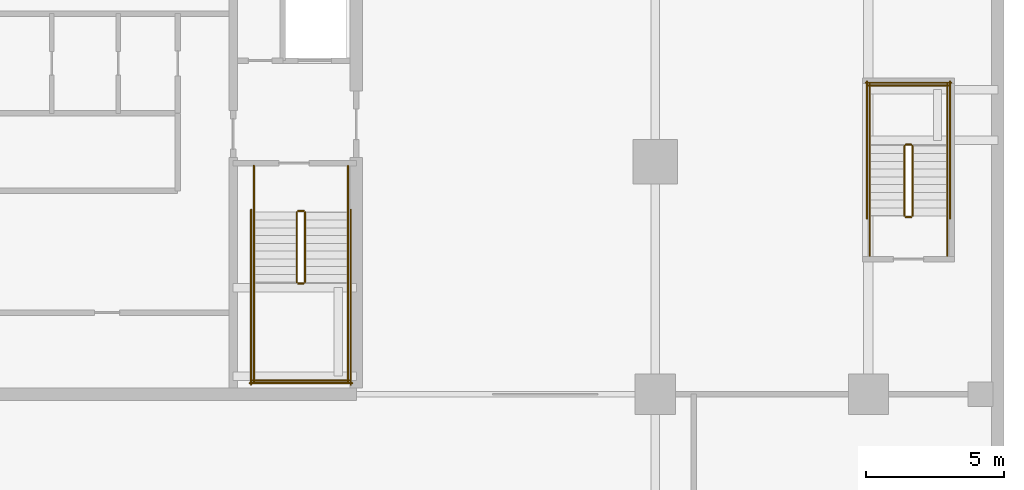
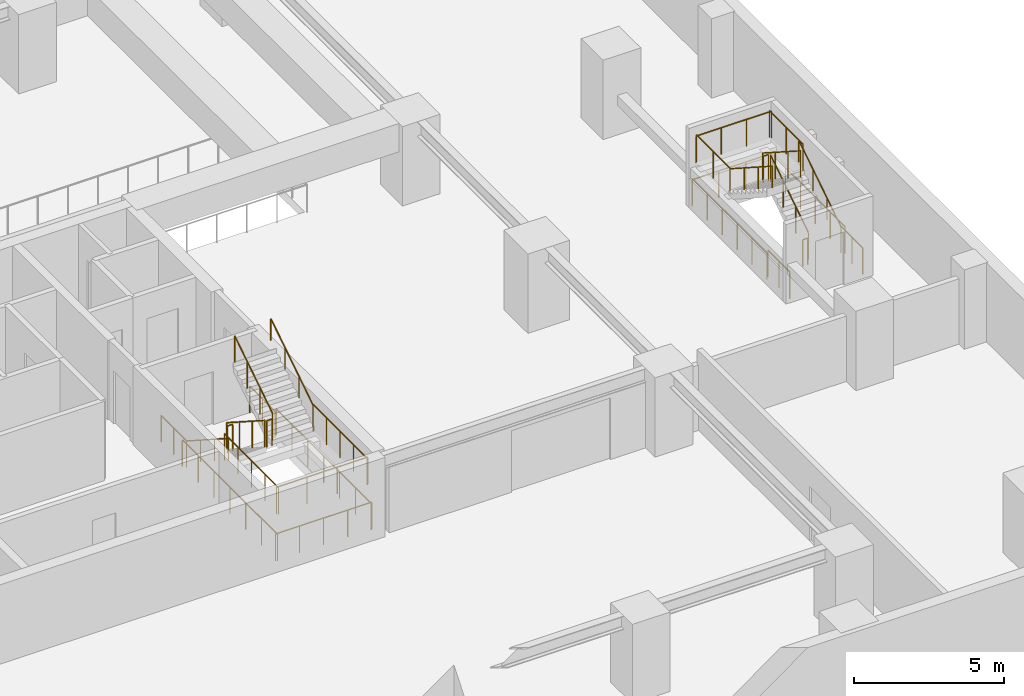
# One storey, part 9 of 10: 28 railings.
"""IFC4 building model written with IfcOpenShell, lengths in metres."""

from ifc_helpers import new_model, si_unit, direction, frame, origin, origin_2d, place, context, subcontext, project, spatial, circle, extrude, material, type_object, element, save


model = new_model("IFC4")

# Units and contexts
model_context = context("Model", 3, precision=1e-05, world=origin(), true_north=direction((0.0, 1.0)))
body_context = subcontext(model_context, "Body", "Model", "MODEL_VIEW")
ifc_project = project(units=[si_unit("LENGTHUNIT", "METRE"), si_unit("AREAUNIT", "SQUARE_METRE"), si_unit("VOLUMEUNIT", "CUBIC_METRE"), si_unit("PLANEANGLEUNIT", "RADIAN"), si_unit("MASSUNIT", "GRAM", prefix="KILO")], contexts=[model_context])

# Site, building, storey
site_placement = place(None, origin())
site = spatial("IfcSite", under=ifc_project, at=site_placement, CompositionType="ELEMENT")
building_placement = place(site_placement, origin())
building = spatial("IfcBuilding", under=site, at=building_placement, Name="Serunith Strait Residences", CompositionType="ELEMENT")
storey_placement = place(building_placement, frame((0.0, 0.0, -3.60009765625)))
storey = spatial("IfcBuildingStorey", under=building, at=storey_placement, Name="B01", CompositionType="ELEMENT", Elevation=-3.60009765625)

# Railings
ifc_material = material(Name="Brushed stainless steel 316L", Category="steel")
railing_type_1 = type_object("IfcRailingType", Name="RLG-STAIR-GUARD", PredefinedType="BALUSTRADE", material=ifc_material)
railing_1_placement = place(storey_placement, frame((39.25, 23.3701171875, 0.18017578125)))
element("IfcRailing", 1, at=railing_1_placement, inside=storey, type_object=railing_type_1, Name="B01 ST-2 stair guard 1", PredefinedType="BALUSTRADE", context=body_context, shape_type="SweptSolid", body=[
    extrude(circle(Radius=0.02392578125, at=origin_2d()), frame((0.0, -0.001708984375, 1.0771484375), z_axis=(0.0, -0.841199657755, 0.540724639528), x_axis=(1.0, 0.0, 0.0)), (0.0, 0.0, 1.0), 2.99169921875),
    extrude(circle(Radius=0.02099609375, at=origin_2d()), origin(), (0.0, 0.0, 1.0), 1.050048828125),
    extrude(circle(Radius=0.02099609375, at=origin_2d()), frame((0.0, -0.840087890625, 0.5400390625)), (0.0, 0.0, 1.0), 1.050048828125),
    extrude(circle(Radius=0.02099609375, at=origin_2d()), frame((0.0, -1.679931640625, 1.079833984375)), (0.0, 0.0, 1.0), 1.050048828125),
    extrude(circle(Radius=0.02099609375, at=origin_2d()), frame((0.0, -2.52001953125, 1.619873046875)), (0.0, 0.0, 1.0), 1.050048828125),
])
railing_2_placement = place(storey_placement, frame((39.300048828125, 20.800048828125, 1.800048828125)))
element("IfcRailing", 2, at=railing_2_placement, inside=storey, type_object=railing_type_1, Name="B01 ST-2 stair guard 2", PredefinedType="BALUSTRADE", context=body_context, shape_type="SweptSolid", body=[
    extrude(circle(Radius=0.02392578125, at=origin_2d()), frame((0.001953125, 0.0, 1.076171875), z_axis=(1.0, 0.0, 0.0), x_axis=(0.0, 1.0, 0.0)), (0.0, 0.0, 1.0), 0.196044921875),
    extrude(circle(Radius=0.02099609375, at=origin_2d()), origin(), (0.0, 0.0, 1.0), 1.050048828125),
    extrude(circle(Radius=0.02099609375, at=origin_2d()), frame((0.199951171875, 0.0, 0.0)), (0.0, 0.0, 1.0), 1.050048828125),
])
for number, where, name in (
    (3, (37.699951171875, 20.85009765625, 1.800048828125), "B01 ST-2 stair guard 3"),
    (4, (41.10009765625, 20.85009765625, 1.800048828125), "B01 ST-2 stair guard 4"),
):
    element("IfcRailing", number, at=place(storey_placement, frame(where)), inside=storey, type_object=railing_type_1, Name=name, PredefinedType="BALUSTRADE", context=body_context, shape_type="SweptSolid", body=[
        extrude(circle(Radius=0.02392578125, at=origin_2d()), frame((0.0, -0.001953125, 1.076171875), z_axis=(0.0, -1.0, 0.0), x_axis=(1.0, 0.0, 0.0)), (0.0, 0.0, 1.0), 3.59619140625),
        extrude(circle(Radius=0.02099609375, at=origin_2d()), origin(), (0.0, 0.0, 1.0), 1.050048828125),
        extrude(circle(Radius=0.02099609375, at=origin_2d()), frame((0.0, -0.89990234375, 0.0)), (0.0, 0.0, 1.0), 1.050048828125),
        extrude(circle(Radius=0.02099609375, at=origin_2d()), frame((0.0, -1.800048828125, 0.0)), (0.0, 0.0, 1.0), 1.050048828125),
        extrude(circle(Radius=0.02099609375, at=origin_2d()), frame((0.0, -2.7001953125, 0.0)), (0.0, 0.0, 1.0), 1.050048828125),
        extrude(circle(Radius=0.02099609375, at=origin_2d()), frame((0.0, -3.60009765625, 0.0)), (0.0, 0.0, 1.0), 1.050048828125),
    ])
railing_3_placement = place(storey_placement, frame((37.64990234375, 17.300048828125, 1.800048828125)))
element("IfcRailing", 5, at=railing_3_placement, inside=storey, type_object=railing_type_1, Name="B01 ST-2 stair guard 5", PredefinedType="BALUSTRADE", context=body_context, shape_type="SweptSolid", body=[
    extrude(circle(Radius=0.02392578125, at=origin_2d()), frame((0.001953125, 0.0, 1.076171875), z_axis=(1.0, 0.0, 0.0), x_axis=(0.0, 1.0, 0.0)), (0.0, 0.0, 1.0), 3.49609375),
    extrude(circle(Radius=0.02099609375, at=origin_2d()), origin(), (0.0, 0.0, 1.0), 1.050048828125),
    extrude(circle(Radius=0.02099609375, at=origin_2d()), frame((1.166748046875, 0.0, 0.0)), (0.0, 0.0, 1.0), 1.050048828125),
    extrude(circle(Radius=0.02099609375, at=origin_2d()), frame((2.333251953125, 0.0, 0.0)), (0.0, 0.0, 1.0), 1.050048828125),
    extrude(circle(Radius=0.02099609375, at=origin_2d()), frame((3.5, 0.0, 0.0)), (0.0, 0.0, 1.0), 1.050048828125),
])
railing_4_placement = place(storey_placement, frame((39.550048828125, 20.85009765625, 1.97998046875)))
element("IfcRailing", 6, at=railing_4_placement, inside=storey, type_object=railing_type_1, Name="B01 ST-2 stair guard 6", PredefinedType="BALUSTRADE", context=body_context, shape_type="SweptSolid", body=[
    extrude(circle(Radius=0.02392578125, at=origin_2d()), frame((0.0, 0.001708984375, 1.0771484375), z_axis=(0.0, 0.841162588446, 0.540782303519), x_axis=(-1.0, 0.0, 0.0)), (0.0, 0.0, 1.0), 2.991943359375),
    extrude(circle(Radius=0.02099609375, at=origin_2d()), origin(), (0.0, 0.0, 1.0), 1.050048828125),
    extrude(circle(Radius=0.02099609375, at=origin_2d()), frame((0.0, 0.840087890625, 0.5400390625)), (0.0, 0.0, 1.0), 1.050048828125),
    extrude(circle(Radius=0.02099609375, at=origin_2d()), frame((0.0, 1.679931640625, 1.080078125)), (0.0, 0.0, 1.0), 1.050048828125),
    extrude(circle(Radius=0.02099609375, at=origin_2d()), frame((0.0, 2.52001953125, 1.6201171875)), (0.0, 0.0, 1.0), 1.050048828125),
])
railing_5_placement = place(storey_placement, frame((39.300048828125, 23.419921875, 0.0)))
element("IfcRailing", 7, at=railing_5_placement, inside=storey, type_object=railing_type_1, Name="B01 ST-2 stair guard 7", PredefinedType="BALUSTRADE", context=body_context, shape_type="SweptSolid", body=[
    extrude(circle(Radius=0.02392578125, at=origin_2d()), frame((0.001953125, 0.0, 1.076171875), z_axis=(1.0, 0.0, 0.0), x_axis=(0.0, 1.0, 0.0)), (0.0, 0.0, 1.0), 0.196044921875),
    extrude(circle(Radius=0.02099609375, at=origin_2d()), origin(), (0.0, 0.0, 1.0), 1.050048828125),
    extrude(circle(Radius=0.02099609375, at=origin_2d()), frame((0.199951171875, 0.0, 0.0)), (0.0, 0.0, 1.0), 1.050048828125),
])
for number, where, name in (
    (8, (37.699951171875, 25.050048828125, 0.0), "B01 ST-2 stair guard 8"),
    (9, (41.10009765625, 25.050048828125, 0.0), "B01 ST-2 stair guard 9"),
):
    element("IfcRailing", number, at=place(storey_placement, frame(where)), inside=storey, type_object=railing_type_1, Name=name, PredefinedType="BALUSTRADE", context=body_context, shape_type="SweptSolid", body=[
        extrude(circle(Radius=0.02392578125, at=origin_2d()), frame((0.0, -0.001953125, 1.076171875), z_axis=(0.0, -1.0, 0.0), x_axis=(1.0, 0.0, 0.0)), (0.0, 0.0, 1.0), 1.676025390625),
        extrude(circle(Radius=0.02099609375, at=origin_2d()), origin(), (0.0, 0.0, 1.0), 1.050048828125),
        extrude(circle(Radius=0.02099609375, at=origin_2d()), frame((0.0, -0.83984375, 0.0)), (0.0, 0.0, 1.0), 1.050048828125),
        extrude(circle(Radius=0.02099609375, at=origin_2d()), frame((0.0, -1.679931640625, 0.0)), (0.0, 0.0, 1.0), 1.050048828125),
    ])
for number, where, name in (
    (10, (37.60009765625, 23.469970703125, 0.0), "B01 ST-2 stair guard 10"),
    (11, (41.199951171875, 23.469970703125, 0.0), "B01 ST-2 stair guard 11"),
):
    element("IfcRailing", number, at=place(storey_placement, frame(where)), inside=storey, type_object=railing_type_1, Name=name, PredefinedType="BALUSTRADE", context=body_context, shape_type="SweptSolid", body=[
        extrude(circle(Radius=0.02392578125, at=origin_2d()), frame((0.0, -0.001953125, 1.076171875), z_axis=(0.0, -1.0, 0.0), x_axis=(1.0, 0.0, 0.0)), (0.0, 0.0, 1.0), 6.316162109375),
        extrude(circle(Radius=0.02099609375, at=origin_2d()), origin(), (0.0, 0.0, 1.0), 1.050048828125),
        extrude(circle(Radius=0.02099609375, at=origin_2d()), frame((0.0, -1.05322265625, 0.0)), (0.0, 0.0, 1.0), 1.050048828125),
        extrude(circle(Radius=0.02099609375, at=origin_2d()), frame((0.0, -2.106689453125, 0.0)), (0.0, 0.0, 1.0), 1.050048828125),
        extrude(circle(Radius=0.02099609375, at=origin_2d()), frame((0.0, -3.16015625, 0.0)), (0.0, 0.0, 1.0), 1.050048828125),
        extrude(circle(Radius=0.02099609375, at=origin_2d()), frame((0.0, -4.21337890625, 0.0)), (0.0, 0.0, 1.0), 1.050048828125),
        extrude(circle(Radius=0.02099609375, at=origin_2d()), frame((0.0, -5.2666015625, 0.0)), (0.0, 0.0, 1.0), 1.050048828125),
        extrude(circle(Radius=0.02099609375, at=origin_2d()), frame((0.0, -6.320068359375, 0.0)), (0.0, 0.0, 1.0), 1.050048828125),
    ])
railing_6_placement = place(storey_placement, frame((37.550048828125, 17.199951171875, 0.0)))
element("IfcRailing", 12, at=railing_6_placement, inside=storey, type_object=railing_type_1, Name="B01 ST-2 stair guard 12", PredefinedType="BALUSTRADE", context=body_context, shape_type="SweptSolid", body=[
    extrude(circle(Radius=0.02392578125, at=origin_2d()), frame((0.001953125, 0.0, 1.076171875), z_axis=(1.0, 0.0, 0.0), x_axis=(0.0, 1.0, 0.0)), (0.0, 0.0, 1.0), 3.696044921875),
    extrude(circle(Radius=0.02099609375, at=origin_2d()), origin(), (0.0, 0.0, 1.0), 1.050048828125),
    extrude(circle(Radius=0.02099609375, at=origin_2d()), frame((0.925048828125, 0.0, 0.0)), (0.0, 0.0, 1.0), 1.050048828125),
    extrude(circle(Radius=0.02099609375, at=origin_2d()), frame((1.85009765625, 0.0, 0.0)), (0.0, 0.0, 1.0), 1.050048828125),
    extrude(circle(Radius=0.02099609375, at=origin_2d()), frame((2.77490234375, 0.0, 0.0)), (0.0, 0.0, 1.0), 1.050048828125),
    extrude(circle(Radius=0.02099609375, at=origin_2d()), frame((3.699951171875, 0.0, 0.0)), (0.0, 0.0, 1.0), 1.050048828125),
])
railing_7_placement = place(storey_placement, frame((61.5, 23.25, 0.18017578125)))
element("IfcRailing", 13, at=railing_7_placement, inside=storey, type_object=railing_type_1, Name="B01 ST-6 stair guard 1", PredefinedType="BALUSTRADE", context=body_context, shape_type="SweptSolid", body=[
    extrude(circle(Radius=0.02392578125, at=origin_2d()), frame((0.0, 0.001708984375, 1.0771484375), z_axis=(0.0, 0.841199657755, 0.540724639528), x_axis=(-1.0, 0.0, 0.0)), (0.0, 0.0, 1.0), 2.99169921875),
    extrude(circle(Radius=0.02099609375, at=origin_2d()), origin(), (0.0, 0.0, 1.0), 1.050048828125),
    extrude(circle(Radius=0.02099609375, at=origin_2d()), frame((0.0, 0.840087890625, 0.5400390625)), (0.0, 0.0, 1.0), 1.050048828125),
    extrude(circle(Radius=0.02099609375, at=origin_2d()), frame((0.0, 1.679931640625, 1.079833984375)), (0.0, 0.0, 1.0), 1.050048828125),
    extrude(circle(Radius=0.02099609375, at=origin_2d()), frame((0.0, 2.52001953125, 1.619873046875)), (0.0, 0.0, 1.0), 1.050048828125),
])
railing_8_placement = place(storey_placement, frame((61.449951171875, 25.820068359375, 1.800048828125)))
element("IfcRailing", 14, at=railing_8_placement, inside=storey, type_object=railing_type_1, Name="B01 ST-6 stair guard 2", PredefinedType="BALUSTRADE", context=body_context, shape_type="SweptSolid", body=[
    extrude(circle(Radius=0.02392578125, at=origin_2d()), frame((-0.001953125, 0.0, 1.076171875), z_axis=(-1.0, 0.0, 0.0), x_axis=(0.0, -1.0, 0.0)), (0.0, 0.0, 1.0), 0.196044921875),
    extrude(circle(Radius=0.02099609375, at=origin_2d()), origin(), (0.0, 0.0, 1.0), 1.050048828125),
    extrude(circle(Radius=0.02099609375, at=origin_2d()), frame((-0.199951171875, 0.0, 0.0)), (0.0, 0.0, 1.0), 1.050048828125),
])
for number, where, name in (
    (15, (62.75, 25.77001953125, 1.800048828125), "B01 ST-6 stair guard 3"),
    (16, (59.949951171875, 25.77001953125, 1.800048828125), "B01 ST-6 stair guard 4"),
):
    element("IfcRailing", number, at=place(storey_placement, frame(where)), inside=storey, type_object=railing_type_1, Name=name, PredefinedType="BALUSTRADE", context=body_context, shape_type="SweptSolid", body=[
        extrude(circle(Radius=0.02392578125, at=origin_2d()), frame((0.0, 0.001953125, 1.076171875), z_axis=(0.0, 1.0, 0.0), x_axis=(-1.0, 0.0, 0.0)), (0.0, 0.0, 1.0), 2.22607421875),
        extrude(circle(Radius=0.02099609375, at=origin_2d()), origin(), (0.0, 0.0, 1.0), 1.050048828125),
        extrude(circle(Radius=0.02099609375, at=origin_2d()), frame((0.0, 1.114990234375, 0.0)), (0.0, 0.0, 1.0), 1.050048828125),
        extrude(circle(Radius=0.02099609375, at=origin_2d()), frame((0.0, 2.22998046875, 0.0)), (0.0, 0.0, 1.0), 1.050048828125),
    ])
railing_9_placement = place(storey_placement, frame((62.800048828125, 27.949951171875, 1.800048828125)))
element("IfcRailing", 17, at=railing_9_placement, inside=storey, type_object=railing_type_1, Name="B01 ST-6 stair guard 5", PredefinedType="BALUSTRADE", context=body_context, shape_type="SweptSolid", body=[
    extrude(circle(Radius=0.02392578125, at=origin_2d()), frame((-0.001953125, 0.0, 1.076171875), z_axis=(-1.0, 0.0, 0.0), x_axis=(0.0, -1.0, 0.0)), (0.0, 0.0, 1.0), 2.896240234375),
    extrude(circle(Radius=0.02099609375, at=origin_2d()), origin(), (0.0, 0.0, 1.0), 1.050048828125),
    extrude(circle(Radius=0.02099609375, at=origin_2d()), frame((-0.966796875, 0.0, 0.0)), (0.0, 0.0, 1.0), 1.050048828125),
    extrude(circle(Radius=0.02099609375, at=origin_2d()), frame((-1.933349609375, 0.0, 0.0)), (0.0, 0.0, 1.0), 1.050048828125),
    extrude(circle(Radius=0.02099609375, at=origin_2d()), frame((-2.900146484375, 0.0, 0.0)), (0.0, 0.0, 1.0), 1.050048828125),
])
railing_10_placement = place(storey_placement, frame((61.199951171875, 25.77001953125, 1.97998046875)))
element("IfcRailing", 18, at=railing_10_placement, inside=storey, type_object=railing_type_1, Name="B01 ST-6 stair guard 6", PredefinedType="BALUSTRADE", context=body_context, shape_type="SweptSolid", body=[
    extrude(circle(Radius=0.02392578125, at=origin_2d()), frame((0.0, -0.001708984375, 1.0771484375), z_axis=(0.0, -0.841162588446, 0.540782303519), x_axis=(1.0, 0.0, 0.0)), (0.0, 0.0, 1.0), 2.991943359375),
    extrude(circle(Radius=0.02099609375, at=origin_2d()), origin(), (0.0, 0.0, 1.0), 1.050048828125),
    extrude(circle(Radius=0.02099609375, at=origin_2d()), frame((0.0, -0.840087890625, 0.5400390625)), (0.0, 0.0, 1.0), 1.050048828125),
    extrude(circle(Radius=0.02099609375, at=origin_2d()), frame((0.0, -1.679931640625, 1.080078125)), (0.0, 0.0, 1.0), 1.050048828125),
    extrude(circle(Radius=0.02099609375, at=origin_2d()), frame((0.0, -2.52001953125, 1.6201171875)), (0.0, 0.0, 1.0), 1.050048828125),
])
railing_11_placement = place(storey_placement, frame((61.449951171875, 23.199951171875, 0.0)))
element("IfcRailing", 19, at=railing_11_placement, inside=storey, type_object=railing_type_1, Name="B01 ST-6 stair guard 7", PredefinedType="BALUSTRADE", context=body_context, shape_type="SweptSolid", body=[
    extrude(circle(Radius=0.02392578125, at=origin_2d()), frame((-0.001953125, 0.0, 1.076171875), z_axis=(-1.0, 0.0, 0.0), x_axis=(0.0, -1.0, 0.0)), (0.0, 0.0, 1.0), 0.196044921875),
    extrude(circle(Radius=0.02099609375, at=origin_2d()), origin(), (0.0, 0.0, 1.0), 1.050048828125),
    extrude(circle(Radius=0.02099609375, at=origin_2d()), frame((-0.199951171875, 0.0, 0.0)), (0.0, 0.0, 1.0), 1.050048828125),
])
for number, where, name in (
    (20, (62.75, 21.800048828125, 0.0), "B01 ST-6 stair guard 8"),
    (21, (59.949951171875, 21.800048828125, 0.0), "B01 ST-6 stair guard 9"),
):
    element("IfcRailing", number, at=place(storey_placement, frame(where)), inside=storey, type_object=railing_type_1, Name=name, PredefinedType="BALUSTRADE", context=body_context, shape_type="SweptSolid", body=[
        extrude(circle(Radius=0.02392578125, at=origin_2d()), frame((0.0, 0.001953125, 1.076171875), z_axis=(0.0, 1.0, 0.0), x_axis=(-1.0, 0.0, 0.0)), (0.0, 0.0, 1.0), 1.446044921875),
        extrude(circle(Radius=0.02099609375, at=origin_2d()), origin(), (0.0, 0.0, 1.0), 1.050048828125),
        extrude(circle(Radius=0.02099609375, at=origin_2d()), frame((0.0, 0.72509765625, 0.0)), (0.0, 0.0, 1.0), 1.050048828125),
        extrude(circle(Radius=0.02099609375, at=origin_2d()), frame((0.0, 1.449951171875, 0.0)), (0.0, 0.0, 1.0), 1.050048828125),
    ])
for number, where, name in (
    (22, (62.85009765625, 23.14990234375, 0.0), "B01 ST-6 stair guard 10"),
    (23, (59.85009765625, 23.14990234375, 0.0), "B01 ST-6 stair guard 11"),
):
    element("IfcRailing", number, at=place(storey_placement, frame(where)), inside=storey, type_object=railing_type_1, Name=name, PredefinedType="BALUSTRADE", context=body_context, shape_type="SweptSolid", body=[
        extrude(circle(Radius=0.02392578125, at=origin_2d()), frame((0.0, 0.001953125, 1.076171875), z_axis=(0.0, 1.0, 0.0), x_axis=(-1.0, 0.0, 0.0)), (0.0, 0.0, 1.0), 4.9462890625),
        extrude(circle(Radius=0.02099609375, at=origin_2d()), origin(), (0.0, 0.0, 1.0), 1.050048828125),
        extrude(circle(Radius=0.02099609375, at=origin_2d()), frame((0.0, 0.989990234375, 0.0)), (0.0, 0.0, 1.0), 1.050048828125),
        extrude(circle(Radius=0.02099609375, at=origin_2d()), frame((0.0, 1.97998046875, 0.0)), (0.0, 0.0, 1.0), 1.050048828125),
        extrude(circle(Radius=0.02099609375, at=origin_2d()), frame((0.0, 2.97021484375, 0.0)), (0.0, 0.0, 1.0), 1.050048828125),
        extrude(circle(Radius=0.02099609375, at=origin_2d()), frame((0.0, 3.960205078125, 0.0)), (0.0, 0.0, 1.0), 1.050048828125),
        extrude(circle(Radius=0.02099609375, at=origin_2d()), frame((0.0, 4.9501953125, 0.0)), (0.0, 0.0, 1.0), 1.050048828125),
    ])
railing_12_placement = place(storey_placement, frame((62.89990234375, 28.050048828125, 0.0)))
element("IfcRailing", 24, at=railing_12_placement, inside=storey, type_object=railing_type_1, Name="B01 ST-6 stair guard 12", PredefinedType="BALUSTRADE", context=body_context, shape_type="SweptSolid", body=[
    extrude(circle(Radius=0.02392578125, at=origin_2d()), frame((-0.001953125, 0.0, 1.076171875), z_axis=(-1.0, 0.0, 0.0), x_axis=(0.0, -1.0, 0.0)), (0.0, 0.0, 1.0), 3.095947265625),
    extrude(circle(Radius=0.02099609375, at=origin_2d()), origin(), (0.0, 0.0, 1.0), 1.050048828125),
    extrude(circle(Radius=0.02099609375, at=origin_2d()), frame((-1.033203125, 0.0, 0.0)), (0.0, 0.0, 1.0), 1.050048828125),
    extrude(circle(Radius=0.02099609375, at=origin_2d()), frame((-2.066650390625, 0.0, 0.0)), (0.0, 0.0, 1.0), 1.050048828125),
    extrude(circle(Radius=0.02099609375, at=origin_2d()), frame((-3.099853515625, 0.0, 0.0)), (0.0, 0.0, 1.0), 1.050048828125),
])
railing_type_2 = type_object("IfcRailingType", Name="RLG-STAIR-HR", PredefinedType="HANDRAIL", material=ifc_material)
railing_13_placement = place(storey_placement, frame((37.699951171875, 23.3701171875, 0.18017578125)))
element("IfcRailing", 25, at=railing_13_placement, inside=storey, type_object=railing_type_2, Name="B01 ST-2 stair handrail 1", PredefinedType="HANDRAIL", context=body_context, shape_type="SweptSolid", body=[
    extrude(circle(Radius=0.02392578125, at=origin_2d()), frame((0.0, -0.001708984375, 0.876953125), z_axis=(0.0, -0.840508739616, 0.541797986919), x_axis=(1.0, 0.0, 0.0)), (0.0, 0.0, 1.0), 3.327392578125),
    extrude(circle(Radius=0.02099609375, at=origin_2d()), origin(), (0.0, 0.0, 1.0), 0.849853515625),
    extrude(circle(Radius=0.02099609375, at=origin_2d()), frame((0.0, -0.933349609375, 0.6015625)), (0.0, 0.0, 1.0), 0.849853515625),
    extrude(circle(Radius=0.02099609375, at=origin_2d()), frame((0.0, -1.86669921875, 1.203369140625)), (0.0, 0.0, 1.0), 0.849853515625),
    extrude(circle(Radius=0.02099609375, at=origin_2d()), frame((0.0, -2.800048828125, 1.804931640625)), (0.0, 0.0, 1.0), 0.849853515625),
])
railing_14_placement = place(storey_placement, frame((41.10009765625, 20.85009765625, 1.97998046875)))
element("IfcRailing", 26, at=railing_14_placement, inside=storey, type_object=railing_type_2, Name="B01 ST-2 stair handrail 2", PredefinedType="HANDRAIL", context=body_context, shape_type="SweptSolid", body=[
    extrude(circle(Radius=0.02392578125, at=origin_2d()), frame((0.0, 0.001708984375, 0.876953125), z_axis=(0.0, 0.840453848492, 0.541883131823), x_axis=(-1.0, 0.0, 0.0)), (0.0, 0.0, 1.0), 3.327392578125),
    extrude(circle(Radius=0.02099609375, at=origin_2d()), origin(), (0.0, 0.0, 1.0), 0.849853515625),
    extrude(circle(Radius=0.02099609375, at=origin_2d()), frame((0.0, 0.933349609375, 0.601806640625)), (0.0, 0.0, 1.0), 0.849853515625),
    extrude(circle(Radius=0.02099609375, at=origin_2d()), frame((0.0, 1.866455078125, 1.203369140625)), (0.0, 0.0, 1.0), 0.849853515625),
    extrude(circle(Radius=0.02099609375, at=origin_2d()), frame((0.0, 2.7998046875, 1.80517578125)), (0.0, 0.0, 1.0), 0.849853515625),
])
railing_15_placement = place(storey_placement, frame((62.75, 23.25, 0.18017578125)))
element("IfcRailing", 27, at=railing_15_placement, inside=storey, type_object=railing_type_2, Name="B01 ST-6 stair handrail 1", PredefinedType="HANDRAIL", context=body_context, shape_type="SweptSolid", body=[
    extrude(circle(Radius=0.02392578125, at=origin_2d()), frame((0.0, 0.001708984375, 0.876953125), z_axis=(0.0, 0.840508739616, 0.541797986919), x_axis=(-1.0, 0.0, 0.0)), (0.0, 0.0, 1.0), 3.327392578125),
    extrude(circle(Radius=0.02099609375, at=origin_2d()), origin(), (0.0, 0.0, 1.0), 0.849853515625),
    extrude(circle(Radius=0.02099609375, at=origin_2d()), frame((0.0, 0.933349609375, 0.6015625)), (0.0, 0.0, 1.0), 0.849853515625),
    extrude(circle(Radius=0.02099609375, at=origin_2d()), frame((0.0, 1.86669921875, 1.203369140625)), (0.0, 0.0, 1.0), 0.849853515625),
    extrude(circle(Radius=0.02099609375, at=origin_2d()), frame((0.0, 2.800048828125, 1.804931640625)), (0.0, 0.0, 1.0), 0.849853515625),
])
railing_16_placement = place(storey_placement, frame((59.949951171875, 25.77001953125, 1.97998046875)))
element("IfcRailing", 28, at=railing_16_placement, inside=storey, type_object=railing_type_2, Name="B01 ST-6 stair handrail 2", PredefinedType="HANDRAIL", context=body_context, shape_type="SweptSolid", body=[
    extrude(circle(Radius=0.02392578125, at=origin_2d()), frame((0.0, -0.001708984375, 0.876953125), z_axis=(0.0, -0.840475366265, 0.541849756576), x_axis=(1.0, 0.0, 0.0)), (0.0, 0.0, 1.0), 3.327392578125),
    extrude(circle(Radius=0.02099609375, at=origin_2d()), origin(), (0.0, 0.0, 1.0), 0.849853515625),
    extrude(circle(Radius=0.02099609375, at=origin_2d()), frame((0.0, -0.933349609375, 0.601806640625)), (0.0, 0.0, 1.0), 0.849853515625),
    extrude(circle(Radius=0.02099609375, at=origin_2d()), frame((0.0, -1.86669921875, 1.203369140625)), (0.0, 0.0, 1.0), 0.849853515625),
    extrude(circle(Radius=0.02099609375, at=origin_2d()), frame((0.0, -2.800048828125, 1.80517578125)), (0.0, 0.0, 1.0), 0.849853515625),
])

save(model, "model.ifc")
